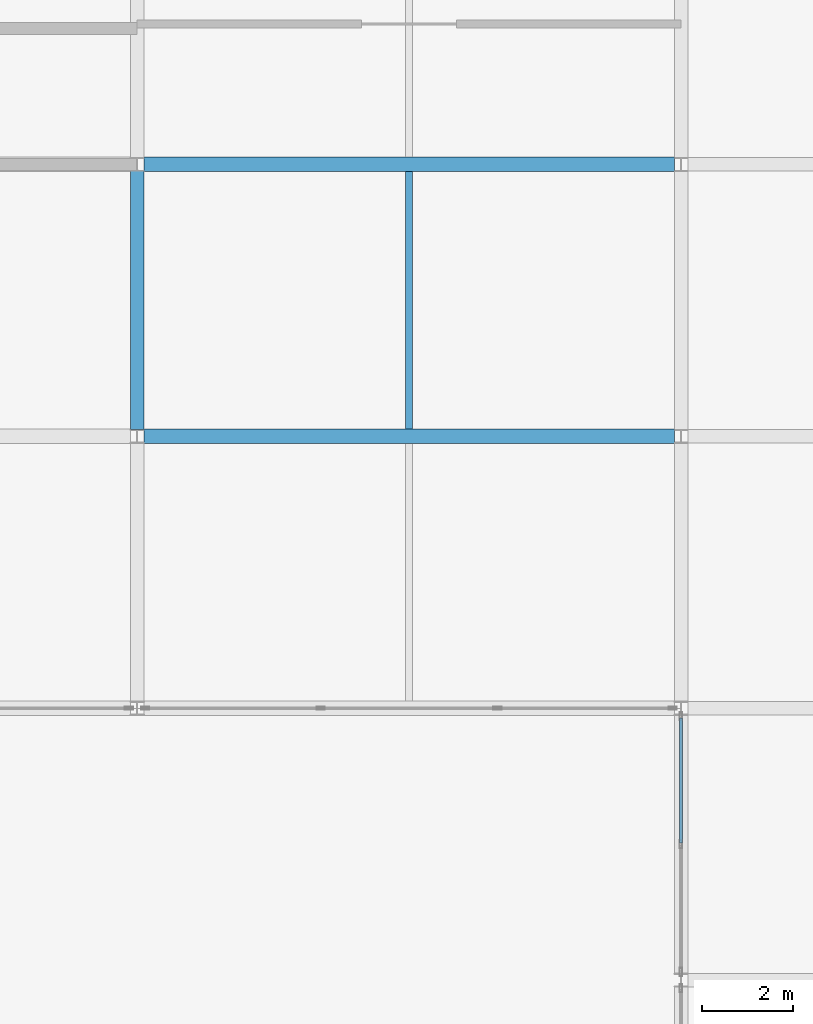
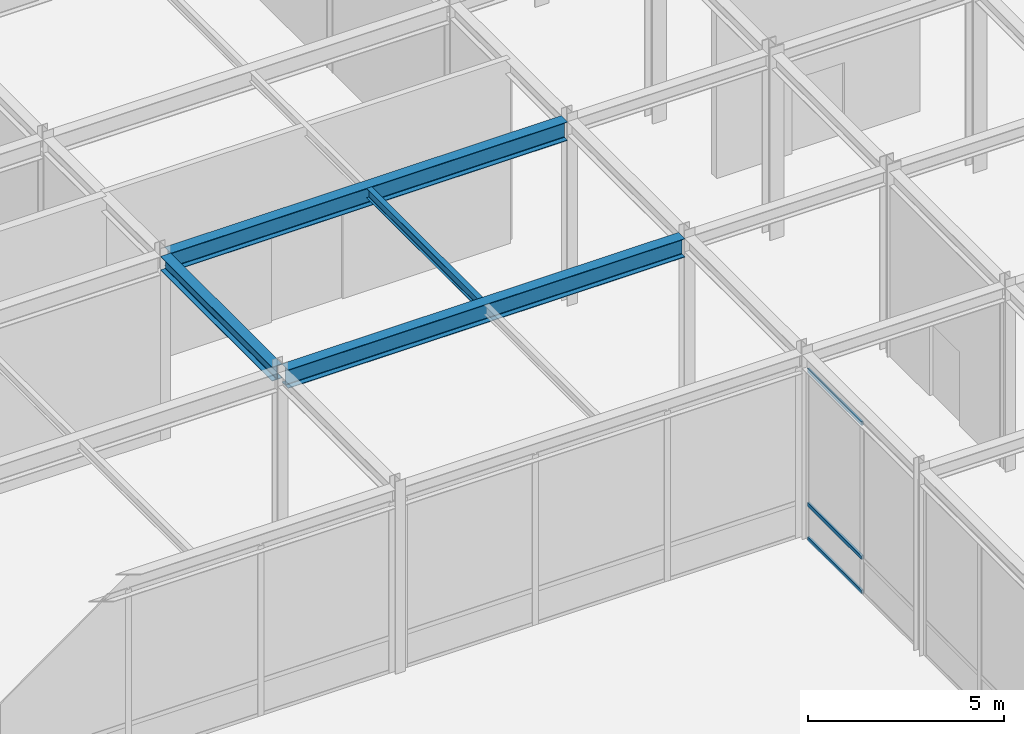
# One storey, part 73 of 108: 4 beams, 3 members, 1 element without a shape of its own.
"""IFC4 building model written with IfcOpenShell, lengths in metres."""

from ifc_helpers import new_model, si_unit, direction, frame, origin, origin_2d, place, context, subcontext, project, spatial, hollow_rectangle, i_section, extrude, material, layer, layer_set, material_profile, profile_set, type_object, element, aggregate, save


model = new_model("IFC4")

# Units and contexts
model_context = context("Model", 3, precision=1e-05, world=origin(), true_north=direction((0.0, 1.0)))
body_context = subcontext(model_context, "Body", "Model", "MODEL_VIEW")
ifc_project = project(units=[si_unit("LENGTHUNIT", "METRE"), si_unit("AREAUNIT", "SQUARE_METRE"), si_unit("VOLUMEUNIT", "CUBIC_METRE"), si_unit("PLANEANGLEUNIT", "RADIAN"), si_unit("MASSUNIT", "GRAM", prefix="KILO")], contexts=[model_context])

# Site, building, storey
site_placement = place(None, origin())
site = spatial("IfcSite", under=ifc_project, at=site_placement, CompositionType="ELEMENT")
building_placement = place(site_placement, origin())
building = spatial("IfcBuilding", under=site, at=building_placement, Name="Zlatovratsky Civic Hall", CompositionType="ELEMENT")
storey_placement = place(building_placement, frame((0.0, 0.0, 6.0)))
storey = spatial("IfcBuildingStorey", under=building, at=storey_placement, Name="L02", CompositionType="ELEMENT", Elevation=6.0)

# Beams
ifc_material_1 = material(Name="Steel S355", Category="steel")
ifc_material_profile_1 = material_profile(ifc_material_1, i_section(OverallWidth=0.320068359375, OverallDepth=0.58203125, WebThickness=0.011962890625, FlangeThickness=0.01708984375, FilletRadius=0.02392578125, at=origin_2d()), Name="60Sh1")
ifc_profile_set_1 = profile_set([ifc_material_profile_1], Name="Steel S355")
beam_type_1 = type_object("IfcBeamType", Name="Beam_PodiumGirder_60Sh1", PredefinedType="BEAM", material=ifc_profile_set_1)
for number, where, z_axis, x_axis, name in (
    (1, (36.14990234375, 72.0, 5.468994140625), (1.0, 0.0, 0.0), (0.0, 1.0, 0.0), "BM-1889"),
    (2, (36.14990234375, 78.0, 5.468994140625), (1.0, 0.0, 0.0), (0.0, 1.0, 0.0), "BM-1911"),
):
    element("IfcBeam", number, at=place(storey_placement, frame(where, z_axis=z_axis, x_axis=x_axis)), inside=storey, type_object=beam_type_1, Name=name, PredefinedType="BEAM", context=body_context, shape_type="SweptSolid", body=[
        extrude(i_section(OverallWidth=0.320068359375, OverallDepth=0.58203125, WebThickness=0.011962890625, FlangeThickness=0.01708984375, FilletRadius=0.02392578125, at=origin_2d()), origin(), (0.0, 0.0, 1.0), 11.7001953125),
    ])
ifc_material_profile_2 = material_profile(ifc_material_1, i_section(OverallWidth=0.300048828125, OverallDepth=0.43994140625, WebThickness=0.010986328125, FlangeThickness=0.01806640625, FilletRadius=0.02197265625, at=origin_2d()), Name="45Sh1")
ifc_profile_set_2 = profile_set([ifc_material_profile_2], Name="Steel S355")
beam_type_2 = type_object("IfcBeamType", Name="Beam_TowerLow_45Sh1", PredefinedType="BEAM", material=ifc_profile_set_2)
beam_1_placement = place(storey_placement, frame((36.0, 72.14990234375, 5.5400390625), z_axis=(0.0, 1.0, 0.0), x_axis=(-1.0, 0.0, 0.0)))
element("IfcBeam", 3, at=beam_1_placement, inside=storey, type_object=beam_type_2, Name="BM-2123", PredefinedType="BEAM", context=body_context, shape_type="SweptSolid", body=[
    extrude(i_section(OverallWidth=0.300048828125, OverallDepth=0.43994140625, WebThickness=0.010986328125, FlangeThickness=0.01806640625, FilletRadius=0.02197265625, at=origin_2d()), origin(), (0.0, 0.0, 1.0), 5.7001953125),
])

# Curtain wall, members
ifc_material_2 = material(Name="Anodised bronze aluminium", Category="aluminium")
ifc_layer = layer(ifc_material_2, 0.159912109375)
ifc_layer_set = layer_set([ifc_layer], Name="Anodised bronze aluminium")
curtain_wall_type = type_object("IfcCurtainWallType", Name="CurtainWall_Bronze_5700x5310_06", PredefinedType="NOTDEFINED", material=ifc_layer_set)
curtain_wall_placement = place(storey_placement, origin())
curtain_wall = element("IfcCurtainWall", 4, at=curtain_wall_placement, inside=storey, type_object=curtain_wall_type, Name="CW-026", PredefinedType="NOTDEFINED")
ifc_material_profile_3 = material_profile(ifc_material_2, hollow_rectangle(XDim=0.06005859375, YDim=0.1201171875, WallThickness=0.00390625, at=origin_2d()), Name="ALU 60x120x4")
ifc_profile_set_3 = profile_set([ifc_material_profile_3], Name="Anodised bronze aluminium")
member_type = type_object("IfcMemberType", Name="CW_Transom_60x120", PredefinedType="USERDEFINED", material=ifc_profile_set_3)
member_1_placement = place(storey_placement, frame((48.0, 63.030029296875, 0.030029296875), z_axis=(0.0, 1.0, 0.0), x_axis=(-1.0, 0.0, 0.0)))
member_1 = element("IfcMember", 5, at=member_1_placement, type_object=member_type, Name="CW-06 transom 2.1", ObjectType="TRANSOM", PredefinedType="USERDEFINED", context=body_context, shape_type="SweptSolid", body=[
    extrude(hollow_rectangle(XDim=0.06005859375, YDim=0.1201171875, WallThickness=0.00390625, at=origin_2d()), origin(), (0.0, 0.0, 1.0), 2.760009765625),
])
member_2_placement = place(storey_placement, frame((48.0, 63.030029296875, 1.10009765625), z_axis=(0.0, 1.0, 0.0), x_axis=(-1.0, 0.0, 0.0)))
member_2 = element("IfcMember", 6, at=member_2_placement, type_object=member_type, Name="CW-06 transom 2.2", ObjectType="TRANSOM", PredefinedType="USERDEFINED", context=body_context, shape_type="SweptSolid", body=[
    extrude(hollow_rectangle(XDim=0.06005859375, YDim=0.1201171875, WallThickness=0.00390625, at=origin_2d()), origin(), (0.0, 0.0, 1.0), 2.760009765625),
])
member_3_placement = place(storey_placement, frame((48.0, 63.030029296875, 5.280029296875), z_axis=(0.0, 1.0, 0.0), x_axis=(-1.0, 0.0, 0.0)))
member_3 = element("IfcMember", 7, at=member_3_placement, type_object=member_type, Name="CW-06 transom 2.3", ObjectType="TRANSOM", PredefinedType="USERDEFINED", context=body_context, shape_type="SweptSolid", body=[
    extrude(hollow_rectangle(XDim=0.06005859375, YDim=0.1201171875, WallThickness=0.00390625, at=origin_2d()), origin(), (0.0, 0.0, 1.0), 2.760009765625),
])
aggregate(curtain_wall, [member_1, member_2, member_3])

# Beam
ifc_material_profile_4 = material_profile(ifc_material_1, i_section(OverallWidth=0.14990234375, OverallDepth=0.300048828125, WebThickness=0.006591796875, FlangeThickness=0.009033203125, FilletRadius=0.012939453125, at=origin_2d()), Name="30B2")
ifc_profile_set_4 = profile_set([ifc_material_profile_4], Name="Steel S355")
beam_type_3 = type_object("IfcBeamType", Name="Joist_Podium_30B2", PredefinedType="JOIST", material=ifc_profile_set_4)
beam_2_placement = place(storey_placement, frame((42.0, 72.159912109375, 5.610107421875), z_axis=(0.0, 1.0, 0.0), x_axis=(-1.0, 0.0, 0.0)))
element("IfcBeam", 8, at=beam_2_placement, inside=storey, type_object=beam_type_3, Name="BM-2427", PredefinedType="JOIST", context=body_context, shape_type="SweptSolid", body=[
    extrude(i_section(OverallWidth=0.14990234375, OverallDepth=0.300048828125, WebThickness=0.006591796875, FlangeThickness=0.009033203125, FilletRadius=0.012939453125, at=origin_2d()), origin(), (0.0, 0.0, 1.0), 5.68017578125),
])

save(model, "model.ifc")
